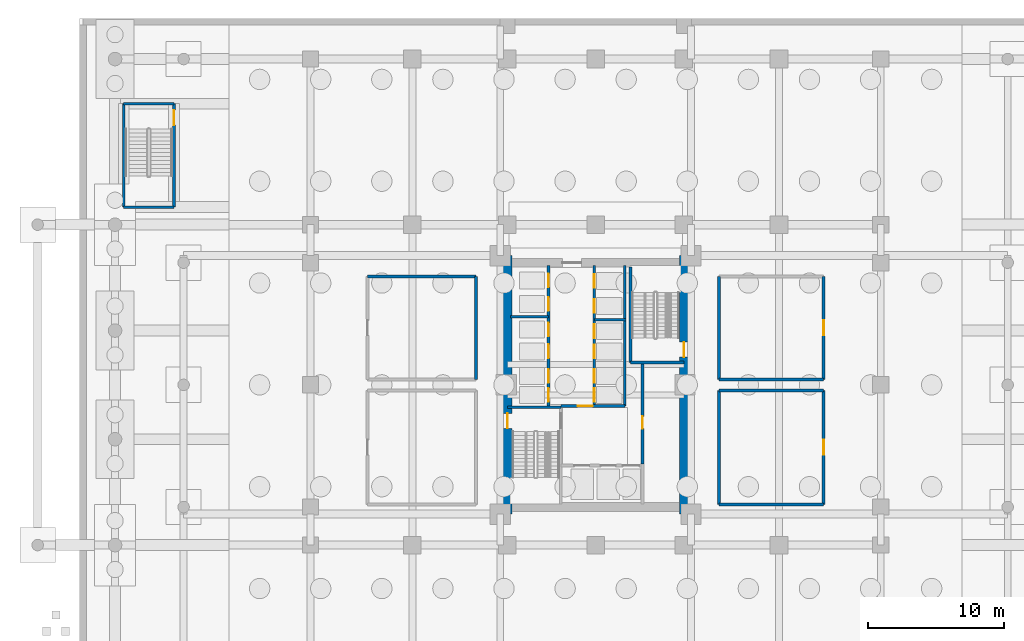
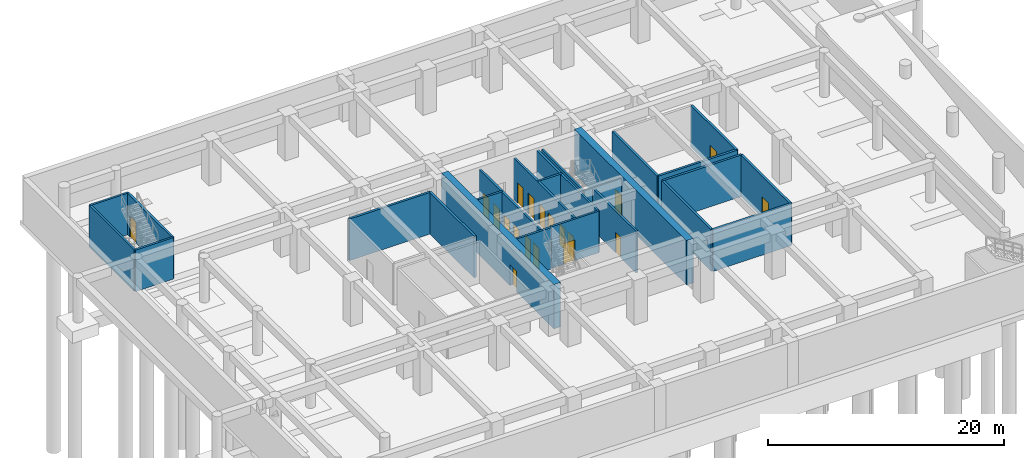
# One storey, part 4 of 14: 26 walls, 19 doors, 19 openings.
"""IFC4 building model written with IfcOpenShell, lengths in metres."""

from ifc_helpers import new_model, si_unit, direction, frame, frame_2d, origin, place, context, subcontext, project, spatial, rectangle, extrude, source, transform, mapped, material, layer, layer_set, type_object, element, fill, save


model = new_model("IFC4")

# Units and contexts
model_context = context("Model", 3, precision=1e-05, world=origin(), true_north=direction((0.0, 1.0)))
body_context = subcontext(model_context, "Body", "Model", "MODEL_VIEW")
ifc_project = project(units=[si_unit("LENGTHUNIT", "METRE"), si_unit("AREAUNIT", "SQUARE_METRE"), si_unit("VOLUMEUNIT", "CUBIC_METRE"), si_unit("PLANEANGLEUNIT", "RADIAN"), si_unit("MASSUNIT", "GRAM", prefix="KILO")], contexts=[model_context])

# Site, building, storey
site_placement = place(None, origin())
site = spatial("IfcSite", under=ifc_project, at=site_placement, CompositionType="ELEMENT")
building_placement = place(site_placement, origin())
building = spatial("IfcBuilding", under=site, at=building_placement, Name="Saelheon Loggia Tower", CompositionType="ELEMENT")
storey_placement = place(building_placement, frame((0.0, 0.0, -9.199951171875)))
storey = spatial("IfcBuildingStorey", under=building, at=storey_placement, Name="B2", CompositionType="ELEMENT", Elevation=-9.199951171875)

# Wall, opening, door
ifc_material_1 = material(Name="Concrete C60/75", Category="concrete")
ifc_layer_1 = layer(ifc_material_1, 0.64990234375)
ifc_layer_set_1 = layer_set([ifc_layer_1], Name="Concrete C60/75")
wall_type_1 = type_object("IfcWallType", Name="Wall_CoreShear_650", PredefinedType="SHEAR", material=ifc_layer_set_1)
wall_1_placement = place(storey_placement, frame((31.5, 17.47998046875, 0.0), z_axis=(0.0, 0.0, 1.0), x_axis=(0.0, 1.0, 0.0)))
wall_1 = element("IfcWall", 1, at=wall_1_placement, inside=storey, type_object=wall_type_1, Name="B2 Core Shear Wall West", PredefinedType="SHEAR", context=body_context, shape_type="SweptSolid", body=[
    extrude(rectangle(XDim=19.0400390625, YDim=0.64990234375, at=frame_2d((9.52001953125, 0.0))), origin(), (0.0, 0.0, 1.0), 4.599853515625),
])
opening_1_placement = place(wall_1_placement, frame((6.320068359375, 0.0, 0.0)))
opening_1 = element("IfcOpeningElement", 2, at=opening_1_placement, cuts=wall_1, Name="Opening D-FD2", PredefinedType="OPENING", context=body_context, shape_type="SweptSolid", body=[
    extrude(rectangle(XDim=1.10009765625, YDim=2.14990234375, at=frame_2d((0.550048828125, 1.074951171875))), frame((0.0, 0.3369140625, 0.0), z_axis=(0.0, -1.0, 0.0), x_axis=(1.0, 0.0, 0.0)), (0.0, 0.0, 1.0), 0.673828125),
])
ifc_material_2 = material(Name="Galvanised Steel Fire Door", Category="steel")
door_type_1 = type_object("IfcDoorType", Name="Door_Fire_FD60_1100", OperationType="NOTDEFINED", PredefinedType="DOOR", material=ifc_material_2)
shared_shape_1 = source(origin(), body_context, "Body", "SweptSolid", [
    extrude(rectangle(XDim=1.10009765625, YDim=2.14990234375, at=frame_2d((0.550048828125, 1.074951171875))), frame((0.0, 0.02490234375, 0.0), z_axis=(0.0, -1.0, 0.0), x_axis=(1.0, 0.0, 0.0)), (0.0, 0.0, 1.0), 0.050048828125),
])
door_1_placement = place(opening_1_placement, origin())
door_1 = element("IfcDoor", 3, at=door_1_placement, inside=storey, type_object=door_type_1, Name="B2 Stair ST1 Corridor Door", OperationType="SINGLE_SWING_LEFT", OverallHeight=2.14990234375, OverallWidth=1.10009765625, PredefinedType="DOOR", context=body_context, shape_type="MappedRepresentation", body=[
    mapped(shared_shape_1, transform((0.0, 0.0, 0.0), scale=1.0)),
])
fill(opening_1, door_1)

wall_2_placement = place(storey_placement, frame((44.5, 17.47998046875, 0.0), z_axis=(0.0, 0.0, 1.0), x_axis=(0.0, 1.0, 0.0)))
wall_2 = element("IfcWall", 4, at=wall_2_placement, inside=storey, type_object=wall_type_1, Name="B2 Core Shear Wall East", PredefinedType="SHEAR", context=body_context, shape_type="SweptSolid", body=[
    extrude(rectangle(XDim=19.0400390625, YDim=0.64990234375, at=frame_2d((9.52001953125, 0.0))), origin(), (0.0, 0.0, 1.0), 4.599853515625),
])
opening_2_placement = place(wall_2_placement, frame((12.670166015625, 0.0, 0.0), z_axis=(0.0, 0.0, 1.0), x_axis=(-1.0, 0.0, 0.0)))
opening_2 = element("IfcOpeningElement", 5, at=opening_2_placement, cuts=wall_2, Name="Opening D-FD2", PredefinedType="OPENING", context=body_context, shape_type="SweptSolid", body=[
    extrude(rectangle(XDim=1.10009765625, YDim=2.14990234375, at=frame_2d((0.550048828125, 1.074951171875))), frame((0.0, 0.3369140625, 0.0), z_axis=(0.0, -1.0, 0.0), x_axis=(1.0, 0.0, 0.0)), (0.0, 0.0, 1.0), 0.673828125),
])
door_2_placement = place(opening_2_placement, origin())
door_2 = element("IfcDoor", 6, at=door_2_placement, inside=storey, type_object=door_type_1, Name="B2 Stair ST2 Corridor Door", OperationType="SINGLE_SWING_RIGHT", OverallHeight=2.14990234375, OverallWidth=1.10009765625, PredefinedType="DOOR", context=body_context, shape_type="MappedRepresentation", body=[
    mapped(shared_shape_1, transform((0.0, 0.0, 0.0), scale=1.0)),
])
fill(opening_2, door_2)

# Walls
ifc_material_3 = material(Name="Concrete C40/50", Category="concrete")
ifc_layer_2 = layer(ifc_material_3, 0.219970703125)
ifc_layer_set_2 = layer_set([ifc_layer_2], Name="Concrete C40/50")
wall_type_2 = type_object("IfcWallType", Name="Wall_PlantBlock_220", PredefinedType="PARTITIONING", material=ifc_layer_set_2)
wall_3_placement = place(storey_placement, frame((21.199951171875, 35.0, 0.0), z_axis=(0.0, 0.0, 1.0), x_axis=(1.0, 0.0, 0.0)))
element("IfcWall", 7, at=wall_3_placement, inside=storey, type_object=wall_type_2, Name="B2 Fire Sprinkler and Domestic Water Tank Room North Wall", PredefinedType="PARTITIONING", context=body_context, shape_type="SweptSolid", body=[
    extrude(rectangle(XDim=8.0, YDim=0.219970703125, at=frame_2d((4.0, 0.0))), origin(), (0.0, 0.0, 1.0), 4.300048828125),
])
wall_4_placement = place(storey_placement, frame((29.199951171875, 27.39990234375, 0.0), z_axis=(0.0, 0.0, 1.0), x_axis=(0.0, 1.0, 0.0)))
element("IfcWall", 8, at=wall_4_placement, inside=storey, type_object=wall_type_2, Name="B2 Fire Sprinkler and Domestic Water Tank Room East Wall", PredefinedType="PARTITIONING", context=body_context, shape_type="SweptSolid", body=[
    extrude(rectangle(XDim=7.60009765625, YDim=0.219970703125, at=frame_2d((3.800048828125, 0.0))), origin(), (0.0, 0.0, 1.0), 4.300048828125),
])
for number, where, z_axis, x_axis, name in (
    (9, (47.10009765625, 18.199951171875, 0.0), (0.0, 0.0, 1.0), (1.0, 0.0, 0.0), "B2 Stormwater Detention and Greywater Plant South Wall"),
    (10, (47.10009765625, 26.60009765625, 0.0), (0.0, 0.0, 1.0), (1.0, 0.0, 0.0), "B2 Stormwater Detention and Greywater Plant North Wall"),
):
    element("IfcWall", number, at=place(storey_placement, frame(where, z_axis=z_axis, x_axis=x_axis)), inside=storey, type_object=wall_type_2, Name=name, PredefinedType="PARTITIONING", context=body_context, shape_type="SweptSolid", body=[
        extrude(rectangle(XDim=7.699951171875, YDim=0.219970703125, at=frame_2d((3.85009765625, 0.0))), origin(), (0.0, 0.0, 1.0), 4.300048828125),
    ])
wall_5_placement = place(storey_placement, frame((47.10009765625, 18.199951171875, 0.0), z_axis=(0.0, 0.0, 1.0), x_axis=(0.0, 1.0, 0.0)))
element("IfcWall", 11, at=wall_5_placement, inside=storey, type_object=wall_type_2, Name="B2 Stormwater Detention and Greywater Plant West Wall", PredefinedType="PARTITIONING", context=body_context, shape_type="SweptSolid", body=[
    extrude(rectangle(XDim=8.400146484375, YDim=0.219970703125, at=frame_2d((4.2001953125, 0.0))), origin(), (0.0, 0.0, 1.0), 4.300048828125),
])

# Wall, opening, door
wall_6_placement = place(storey_placement, frame((54.800048828125, 18.199951171875, 0.0), z_axis=(0.0, 0.0, 1.0), x_axis=(0.0, 1.0, 0.0)))
wall_6 = element("IfcWall", 12, at=wall_6_placement, inside=storey, type_object=wall_type_2, Name="B2 Stormwater Detention and Greywater Plant East Wall", PredefinedType="PARTITIONING", context=body_context, shape_type="SweptSolid", body=[
    extrude(rectangle(XDim=8.400146484375, YDim=0.219970703125, at=frame_2d((4.2001953125, 0.0))), origin(), (0.0, 0.0, 1.0), 4.300048828125),
])
opening_3_placement = place(wall_6_placement, frame((3.64990234375, 0.0, 0.0)))
opening_3 = element("IfcOpeningElement", 13, at=opening_3_placement, cuts=wall_6, Name="Opening D-FD2", PredefinedType="OPENING", context=body_context, shape_type="SweptSolid", body=[
    extrude(rectangle(XDim=1.10009765625, YDim=2.14990234375, at=frame_2d((0.550048828125, 1.074951171875))), frame((0.0, 0.1220703125, 0.0), z_axis=(0.0, -1.0, 0.0), x_axis=(1.0, 0.0, 0.0)), (0.0, 0.0, 1.0), 0.243896484375),
])
door_3_placement = place(opening_3_placement, origin())
door_3 = element("IfcDoor", 14, at=door_3_placement, inside=storey, type_object=door_type_1, Name="B2 Stormwater Detention and Greywater Plant Door", OperationType="SINGLE_SWING_RIGHT", OverallHeight=2.14990234375, OverallWidth=1.10009765625, PredefinedType="DOOR", context=body_context, shape_type="MappedRepresentation", body=[
    mapped(shared_shape_1, transform((0.0, 0.0, 0.0), scale=1.0)),
])
fill(opening_3, door_3)

# Walls
wall_7_placement = place(storey_placement, frame((47.10009765625, 27.39990234375, 0.0), z_axis=(0.0, 0.0, 1.0), x_axis=(1.0, 0.0, 0.0)))
element("IfcWall", 15, at=wall_7_placement, inside=storey, type_object=wall_type_2, Name="B2 Basement Smoke Extraction Fan Room South Wall", PredefinedType="PARTITIONING", context=body_context, shape_type="SweptSolid", body=[
    extrude(rectangle(XDim=7.699951171875, YDim=0.219970703125, at=frame_2d((3.85009765625, 0.0))), origin(), (0.0, 0.0, 1.0), 4.300048828125),
])
wall_8_placement = place(storey_placement, frame((47.10009765625, 27.39990234375, 0.0), z_axis=(0.0, 0.0, 1.0), x_axis=(0.0, 1.0, 0.0)))
element("IfcWall", 16, at=wall_8_placement, inside=storey, type_object=wall_type_2, Name="B2 Basement Smoke Extraction Fan Room West Wall", PredefinedType="PARTITIONING", context=body_context, shape_type="SweptSolid", body=[
    extrude(rectangle(XDim=7.60009765625, YDim=0.219970703125, at=frame_2d((3.800048828125, 0.0))), origin(), (0.0, 0.0, 1.0), 4.300048828125),
])

# Wall, opening, door
wall_9_placement = place(storey_placement, frame((54.800048828125, 27.39990234375, 0.0), z_axis=(0.0, 0.0, 1.0), x_axis=(0.0, 1.0, 0.0)))
wall_9 = element("IfcWall", 17, at=wall_9_placement, inside=storey, type_object=wall_type_2, Name="B2 Basement Smoke Extraction Fan Room East Wall", PredefinedType="PARTITIONING", context=body_context, shape_type="SweptSolid", body=[
    extrude(rectangle(XDim=7.60009765625, YDim=0.219970703125, at=frame_2d((3.800048828125, 0.0))), origin(), (0.0, 0.0, 1.0), 4.300048828125),
])
opening_4_placement = place(wall_9_placement, frame((3.25, 0.0, 0.0)))
opening_4 = element("IfcOpeningElement", 18, at=opening_4_placement, cuts=wall_9, Name="Opening D-FD2", PredefinedType="OPENING", context=body_context, shape_type="SweptSolid", body=[
    extrude(rectangle(XDim=1.10009765625, YDim=2.14990234375, at=frame_2d((0.550048828125, 1.074951171875))), frame((0.0, 0.1220703125, 0.0), z_axis=(0.0, -1.0, 0.0), x_axis=(1.0, 0.0, 0.0)), (0.0, 0.0, 1.0), 0.243896484375),
])
door_4_placement = place(opening_4_placement, origin())
door_4 = element("IfcDoor", 19, at=door_4_placement, inside=storey, type_object=door_type_1, Name="B2 Basement Smoke Extraction Fan Room Door", OperationType="SINGLE_SWING_LEFT", OverallHeight=2.14990234375, OverallWidth=1.10009765625, PredefinedType="DOOR", context=body_context, shape_type="MappedRepresentation", body=[
    mapped(shared_shape_1, transform((0.0, 0.0, 0.0), scale=1.0)),
])
fill(opening_4, door_4)

ifc_layer_3 = layer(ifc_material_3, 0.199951171875)
ifc_layer_set_3 = layer_set([ifc_layer_3], Name="Concrete C40/50")
wall_type_3 = type_object("IfcWallType", Name="Wall_Shaft_200", PredefinedType="PARTITIONING", material=ifc_layer_set_3)
wall_10_placement = place(storey_placement, frame((41.449951171875, 21.179931640625, 0.0), z_axis=(0.0, 0.0, 1.0), x_axis=(0.0, 1.0, 0.0)))
wall_10 = element("IfcWall", 20, at=wall_10_placement, inside=storey, type_object=wall_type_3, Name="CW-INT-B2-BOH-W1", PredefinedType="PARTITIONING", context=body_context, shape_type="SweptSolid", body=[
    extrude(rectangle(XDim=7.420166015625, YDim=0.199951171875, at=frame_2d((3.7099609375, 0.0))), origin(), (0.0, 0.0, 1.0), 4.300048828125),
])
opening_5_placement = place(wall_10_placement, frame((2.60009765625, 0.0, 0.0)))
opening_5 = element("IfcOpeningElement", 21, at=opening_5_placement, cuts=wall_10, Name="Opening D-RS1", PredefinedType="OPENING", context=body_context, shape_type="SweptSolid", body=[
    extrude(rectangle(XDim=0.89990234375, YDim=2.10009765625, at=frame_2d((0.449951171875, 1.050048828125))), frame((0.0, 0.112060546875, 0.0), z_axis=(0.0, -1.0, 0.0), x_axis=(1.0, 0.0, 0.0)), (0.0, 0.0, 1.0), 0.223876953125),
])
ifc_material_4 = material(Name="Galvanised Steel Riser Access Door", Category="steel")
door_type_2 = type_object("IfcDoorType", Name="Door_Riser_FD60", OperationType="NOTDEFINED", PredefinedType="DOOR", material=ifc_material_4)
shared_shape_2 = source(origin(), body_context, "Body", "SweptSolid", [
    extrude(rectangle(XDim=0.89990234375, YDim=2.10009765625, at=frame_2d((0.449951171875, 1.050048828125))), frame((0.0, 0.02490234375, 0.0), z_axis=(0.0, -1.0, 0.0), x_axis=(1.0, 0.0, 0.0)), (0.0, 0.0, 1.0), 0.050048828125),
])
door_5_placement = place(opening_5_placement, origin())
door_5 = element("IfcDoor", 22, at=door_5_placement, inside=storey, type_object=door_type_2, Name="B2 Core Service Store Door", OperationType="SINGLE_SWING_LEFT", OverallHeight=2.10009765625, OverallWidth=0.89990234375, PredefinedType="DOOR", context=body_context, shape_type="MappedRepresentation", body=[
    mapped(shared_shape_2, transform((0.0, 0.0, 0.0), scale=1.0)),
])
fill(opening_5, door_5)

# Walls
wall_11_placement = place(storey_placement, frame((40.14990234375, 25.43994140625, 0.0), z_axis=(0.0, 0.0, 1.0), x_axis=(0.0, 1.0, 0.0)))
element("IfcWall", 23, at=wall_11_placement, inside=storey, type_object=wall_type_3, Name="B2 Core Service Passage West Wall", PredefinedType="PARTITIONING", context=body_context, shape_type="SweptSolid", body=[
    extrude(rectangle(XDim=6.360107421875, YDim=0.199951171875, at=frame_2d((3.18017578125, 0.0))), origin(), (0.0, 0.0, 1.0), 4.300048828125),
])
wall_12_placement = place(storey_placement, frame((40.14990234375, 31.800048828125, 0.0), z_axis=(0.0, 0.0, 1.0), x_axis=(0.0, 1.0, 0.0)))
element("IfcWall", 24, at=wall_12_placement, inside=storey, type_object=wall_type_3, Name="B2 East High-Rise Hoistway East Wall", PredefinedType="PARTITIONING", context=body_context, shape_type="SweptSolid", body=[
    extrude(rectangle(XDim=3.97998046875, YDim=0.199951171875, at=frame_2d((1.989990234375, 0.0))), origin(), (0.0, 0.0, 1.0), 4.300048828125),
])

# Wall, opening, door
wall_13_placement = place(storey_placement, frame((35.429931640625, 25.43994140625, 0.0), z_axis=(0.0, 0.0, 1.0), x_axis=(1.0, 0.0, 0.0)))
wall_13 = element("IfcWall", 25, at=wall_13_placement, inside=storey, type_object=wall_type_3, Name="B2 Firefighting Lobby Compartment Wall", PredefinedType="PARTITIONING", context=body_context, shape_type="SweptSolid", body=[
    extrude(rectangle(XDim=4.719970703125, YDim=0.199951171875, at=frame_2d((2.35986328125, 0.0))), origin(), (0.0, 0.0, 1.0), 4.300048828125),
])
opening_6_placement = place(wall_13_placement, frame((1.25, 0.0, 0.0)))
opening_6 = element("IfcOpeningElement", 26, at=opening_6_placement, cuts=wall_13, Name="Opening D-FD2", PredefinedType="OPENING", context=body_context, shape_type="SweptSolid", body=[
    extrude(rectangle(XDim=1.10009765625, YDim=2.14990234375, at=frame_2d((0.550048828125, 1.074951171875))), frame((0.0, 0.112060546875, 0.0), z_axis=(0.0, -1.0, 0.0), x_axis=(1.0, 0.0, 0.0)), (0.0, 0.0, 1.0), 0.223876953125),
])
door_6_placement = place(opening_6_placement, origin())
door_6 = element("IfcDoor", 27, at=door_6_placement, inside=storey, type_object=door_type_1, Name="B2 Firefighting Lobby Door", OperationType="SINGLE_SWING_RIGHT", OverallHeight=2.14990234375, OverallWidth=1.10009765625, PredefinedType="DOOR", context=body_context, shape_type="MappedRepresentation", body=[
    mapped(shared_shape_1, transform((0.0, 0.0, 0.0), scale=1.0)),
])
fill(opening_6, door_6)

# Wall, openings, doors
wall_14_placement = place(storey_placement, frame((34.52001953125, 25.43994140625, 0.0), z_axis=(0.0, 0.0, 1.0), x_axis=(0.0, 1.0, 0.0)))
wall_14 = element("IfcWall", 28, at=wall_14_placement, inside=storey, type_object=wall_type_3, Name="B2 West Passenger Lift Bank Wall", PredefinedType="PARTITIONING", context=body_context, shape_type="SweptSolid", body=[
    extrude(rectangle(XDim=10.340087890625, YDim=0.199951171875, at=frame_2d((5.169921875, 0.0))), origin(), (0.0, 0.0, 1.0), 4.300048828125),
])
opening_7_placement = place(wall_14_placement, frame((0.320068359375, 0.0, 0.0)))
opening_7 = element("IfcOpeningElement", 29, at=opening_7_placement, cuts=wall_14, Name="Opening LD1", PredefinedType="OPENING", context=body_context, shape_type="SweptSolid", body=[
    extrude(rectangle(XDim=1.0, YDim=2.14990234375, at=frame_2d((0.5, 1.074951171875))), frame((0.0, 0.112060546875, 0.0), z_axis=(0.0, -1.0, 0.0), x_axis=(1.0, 0.0, 0.0)), (0.0, 0.0, 1.0), 0.223876953125),
])
opening_8_placement = place(wall_14_placement, frame((1.7099609375, 0.0, 0.0)))
opening_8 = element("IfcOpeningElement", 30, at=opening_8_placement, cuts=wall_14, Name="Opening LD1", PredefinedType="OPENING", context=body_context, shape_type="SweptSolid", body=[
    extrude(rectangle(XDim=1.0, YDim=2.14990234375, at=frame_2d((0.5, 1.074951171875))), frame((0.0, 0.112060546875, 0.0), z_axis=(0.0, -1.0, 0.0), x_axis=(1.0, 0.0, 0.0)), (0.0, 0.0, 1.0), 0.223876953125),
])
opening_9_placement = place(wall_14_placement, frame((3.534912109375, 0.0, 0.0)))
opening_9 = element("IfcOpeningElement", 31, at=opening_9_placement, cuts=wall_14, Name="Opening LD1", PredefinedType="OPENING", context=body_context, shape_type="SweptSolid", body=[
    extrude(rectangle(XDim=1.0, YDim=2.14990234375, at=frame_2d((0.5, 1.074951171875))), frame((0.0, 0.112060546875, 0.0), z_axis=(0.0, -1.0, 0.0), x_axis=(1.0, 0.0, 0.0)), (0.0, 0.0, 1.0), 0.223876953125),
])
opening_10_placement = place(wall_14_placement, frame((5.135009765625, 0.0, 0.0)))
opening_10 = element("IfcOpeningElement", 32, at=opening_10_placement, cuts=wall_14, Name="Opening LD1", PredefinedType="OPENING", context=body_context, shape_type="SweptSolid", body=[
    extrude(rectangle(XDim=1.0, YDim=2.14990234375, at=frame_2d((0.5, 1.074951171875))), frame((0.0, 0.112060546875, 0.0), z_axis=(0.0, -1.0, 0.0), x_axis=(1.0, 0.0, 0.0)), (0.0, 0.0, 1.0), 0.223876953125),
])
opening_11_placement = place(wall_14_placement, frame((7.010009765625, 0.0, 0.0)))
opening_11 = element("IfcOpeningElement", 33, at=opening_11_placement, cuts=wall_14, Name="Opening LD1", PredefinedType="OPENING", context=body_context, shape_type="SweptSolid", body=[
    extrude(rectangle(XDim=1.0, YDim=2.14990234375, at=frame_2d((0.5, 1.074951171875))), frame((0.0, 0.112060546875, 0.0), z_axis=(0.0, -1.0, 0.0), x_axis=(1.0, 0.0, 0.0)), (0.0, 0.0, 1.0), 0.223876953125),
])
opening_12_placement = place(wall_14_placement, frame((8.760009765625, 0.0, 0.0)))
opening_12 = element("IfcOpeningElement", 34, at=opening_12_placement, cuts=wall_14, Name="Opening LD1", PredefinedType="OPENING", context=body_context, shape_type="SweptSolid", body=[
    extrude(rectangle(XDim=1.0, YDim=2.14990234375, at=frame_2d((0.5, 1.074951171875))), frame((0.0, 0.112060546875, 0.0), z_axis=(0.0, -1.0, 0.0), x_axis=(1.0, 0.0, 0.0)), (0.0, 0.0, 1.0), 0.223876953125),
])
ifc_material_5 = material(Name="Brushed Stainless Steel 304 Landing Door", Category="steel")
door_type_3 = type_object("IfcDoorType", Name="Door_Lift_LD1", OperationType="DOUBLE_DOOR_SLIDING", PredefinedType="DOOR", material=ifc_material_5)
shared_shape_3 = source(origin(), body_context, "Body", "SweptSolid", [
    extrude(rectangle(XDim=1.0, YDim=2.14990234375, at=frame_2d((0.5, 1.074951171875))), frame((0.0, 0.02490234375, 0.0), z_axis=(0.0, -1.0, 0.0), x_axis=(1.0, 0.0, 0.0)), (0.0, 0.0, 1.0), 0.050048828125),
])
door_7_placement = place(opening_7_placement, origin())
door_7 = element("IfcDoor", 35, at=door_7_placement, inside=storey, type_object=door_type_3, Name="B2 PL1 Landing Door", OperationType="DOUBLE_DOOR_SLIDING", OverallHeight=2.14990234375, OverallWidth=1.0, PredefinedType="DOOR", context=body_context, shape_type="MappedRepresentation", body=[
    mapped(shared_shape_3, transform((0.0, 0.0, 0.0), scale=1.0)),
])
fill(opening_7, door_7)
door_8_placement = place(opening_8_placement, origin())
door_8 = element("IfcDoor", 36, at=door_8_placement, inside=storey, type_object=door_type_3, Name="B2 PL2 Landing Door", OperationType="DOUBLE_DOOR_SLIDING", OverallHeight=2.14990234375, OverallWidth=1.0, PredefinedType="DOOR", context=body_context, shape_type="MappedRepresentation", body=[
    mapped(shared_shape_3, transform((0.0, 0.0, 0.0), scale=1.0)),
])
fill(opening_8, door_8)
door_9_placement = place(opening_9_placement, origin())
door_9 = element("IfcDoor", 37, at=door_9_placement, inside=storey, type_object=door_type_3, Name="B2 PL3 Landing Door", OperationType="DOUBLE_DOOR_SLIDING", OverallHeight=2.14990234375, OverallWidth=1.0, PredefinedType="DOOR", context=body_context, shape_type="MappedRepresentation", body=[
    mapped(shared_shape_3, transform((0.0, 0.0, 0.0), scale=1.0)),
])
fill(opening_9, door_9)
door_10_placement = place(opening_10_placement, origin())
door_10 = element("IfcDoor", 38, at=door_10_placement, inside=storey, type_object=door_type_3, Name="B2 PL4 Landing Door", OperationType="DOUBLE_DOOR_SLIDING", OverallHeight=2.14990234375, OverallWidth=1.0, PredefinedType="DOOR", context=body_context, shape_type="MappedRepresentation", body=[
    mapped(shared_shape_3, transform((0.0, 0.0, 0.0), scale=1.0)),
])
fill(opening_10, door_10)
door_11_placement = place(opening_11_placement, origin())
door_11 = element("IfcDoor", 39, at=door_11_placement, inside=storey, type_object=door_type_3, Name="B2 PH1 Landing Door", OperationType="DOUBLE_DOOR_SLIDING", OverallHeight=2.14990234375, OverallWidth=1.0, PredefinedType="DOOR", context=body_context, shape_type="MappedRepresentation", body=[
    mapped(shared_shape_3, transform((0.0, 0.0, 0.0), scale=1.0)),
])
fill(opening_11, door_11)
door_12_placement = place(opening_12_placement, origin())
door_12 = element("IfcDoor", 40, at=door_12_placement, inside=storey, type_object=door_type_3, Name="B2 PH2 Landing Door", OperationType="DOUBLE_DOOR_SLIDING", OverallHeight=2.14990234375, OverallWidth=1.0, PredefinedType="DOOR", context=body_context, shape_type="MappedRepresentation", body=[
    mapped(shared_shape_3, transform((0.0, 0.0, 0.0), scale=1.0)),
])
fill(opening_12, door_12)

# Wall
wall_15_placement = place(storey_placement, frame((31.719970703125, 32.02001953125, 0.0), z_axis=(0.0, 0.0, 1.0), x_axis=(1.0, 0.0, 0.0)))
element("IfcWall", 41, at=wall_15_placement, inside=storey, type_object=wall_type_3, Name="B2 West High-Rise Shaft Divider", PredefinedType="PARTITIONING", context=body_context, shape_type="SweptSolid", body=[
    extrude(rectangle(XDim=2.800048828125, YDim=0.199951171875, at=frame_2d((1.39990234375, 0.0))), origin(), (0.0, 0.0, 1.0), 4.300048828125),
])

# Wall, openings, doors
wall_16_placement = place(storey_placement, frame((37.89990234375, 25.43994140625, 0.0), z_axis=(0.0, 0.0, 1.0), x_axis=(0.0, 1.0, 0.0)))
wall_16 = element("IfcWall", 42, at=wall_16_placement, inside=storey, type_object=wall_type_3, Name="B2 East Passenger Lift Bank Wall", PredefinedType="PARTITIONING", context=body_context, shape_type="SweptSolid", body=[
    extrude(rectangle(XDim=10.340087890625, YDim=0.199951171875, at=frame_2d((5.169921875, 0.0))), origin(), (0.0, 0.0, 1.0), 4.300048828125),
])
opening_13_placement = place(wall_16_placement, frame((0.320068359375, 0.0, 0.0)))
opening_13 = element("IfcOpeningElement", 43, at=opening_13_placement, cuts=wall_16, Name="Opening LD1", PredefinedType="OPENING", context=body_context, shape_type="SweptSolid", body=[
    extrude(rectangle(XDim=1.0, YDim=2.14990234375, at=frame_2d((0.5, 1.074951171875))), frame((0.0, 0.112060546875, 0.0), z_axis=(0.0, -1.0, 0.0), x_axis=(1.0, 0.0, 0.0)), (0.0, 0.0, 1.0), 0.223876953125),
])
opening_14_placement = place(wall_16_placement, frame((1.7099609375, 0.0, 0.0)))
opening_14 = element("IfcOpeningElement", 44, at=opening_14_placement, cuts=wall_16, Name="Opening LD1", PredefinedType="OPENING", context=body_context, shape_type="SweptSolid", body=[
    extrude(rectangle(XDim=1.0, YDim=2.14990234375, at=frame_2d((0.5, 1.074951171875))), frame((0.0, 0.112060546875, 0.0), z_axis=(0.0, -1.0, 0.0), x_axis=(1.0, 0.0, 0.0)), (0.0, 0.0, 1.0), 0.223876953125),
])
opening_15_placement = place(wall_16_placement, frame((3.510009765625, 0.0, 0.0)))
opening_15 = element("IfcOpeningElement", 45, at=opening_15_placement, cuts=wall_16, Name="Opening LD1", PredefinedType="OPENING", context=body_context, shape_type="SweptSolid", body=[
    extrude(rectangle(XDim=1.0, YDim=2.14990234375, at=frame_2d((0.5, 1.074951171875))), frame((0.0, 0.112060546875, 0.0), z_axis=(0.0, -1.0, 0.0), x_axis=(1.0, 0.0, 0.0)), (0.0, 0.0, 1.0), 0.223876953125),
])
opening_16_placement = place(wall_16_placement, frame((5.010009765625, 0.0, 0.0)))
opening_16 = element("IfcOpeningElement", 46, at=opening_16_placement, cuts=wall_16, Name="Opening LD1", PredefinedType="OPENING", context=body_context, shape_type="SweptSolid", body=[
    extrude(rectangle(XDim=1.0, YDim=2.14990234375, at=frame_2d((0.5, 1.074951171875))), frame((0.0, 0.112060546875, 0.0), z_axis=(0.0, -1.0, 0.0), x_axis=(1.0, 0.0, 0.0)), (0.0, 0.0, 1.0), 0.223876953125),
])
opening_17_placement = place(wall_16_placement, frame((6.860107421875, 0.0, 0.0)))
opening_17 = element("IfcOpeningElement", 47, at=opening_17_placement, cuts=wall_16, Name="Opening LD1", PredefinedType="OPENING", context=body_context, shape_type="SweptSolid", body=[
    extrude(rectangle(XDim=1.0, YDim=2.14990234375, at=frame_2d((0.5, 1.074951171875))), frame((0.0, 0.112060546875, 0.0), z_axis=(0.0, -1.0, 0.0), x_axis=(1.0, 0.0, 0.0)), (0.0, 0.0, 1.0), 0.223876953125),
])
opening_18_placement = place(wall_16_placement, frame((8.7099609375, 0.0, 0.0)))
opening_18 = element("IfcOpeningElement", 48, at=opening_18_placement, cuts=wall_16, Name="Opening LD1", PredefinedType="OPENING", context=body_context, shape_type="SweptSolid", body=[
    extrude(rectangle(XDim=1.0, YDim=2.14990234375, at=frame_2d((0.5, 1.074951171875))), frame((0.0, 0.112060546875, 0.0), z_axis=(0.0, -1.0, 0.0), x_axis=(1.0, 0.0, 0.0)), (0.0, 0.0, 1.0), 0.223876953125),
])
door_13_placement = place(opening_13_placement, origin())
door_13 = element("IfcDoor", 49, at=door_13_placement, inside=storey, type_object=door_type_3, Name="B2 PM1 Landing Door", OperationType="DOUBLE_DOOR_SLIDING", OverallHeight=2.14990234375, OverallWidth=1.0, PredefinedType="DOOR", context=body_context, shape_type="MappedRepresentation", body=[
    mapped(shared_shape_3, transform((0.0, 0.0, 0.0), scale=1.0)),
])
fill(opening_13, door_13)
door_14_placement = place(opening_14_placement, origin())
door_14 = element("IfcDoor", 50, at=door_14_placement, inside=storey, type_object=door_type_3, Name="B2 PM2 Landing Door", OperationType="DOUBLE_DOOR_SLIDING", OverallHeight=2.14990234375, OverallWidth=1.0, PredefinedType="DOOR", context=body_context, shape_type="MappedRepresentation", body=[
    mapped(shared_shape_3, transform((0.0, 0.0, 0.0), scale=1.0)),
])
fill(opening_14, door_14)
door_15_placement = place(opening_15_placement, origin())
door_15 = element("IfcDoor", 51, at=door_15_placement, inside=storey, type_object=door_type_3, Name="B2 PM3 Landing Door", OperationType="DOUBLE_DOOR_SLIDING", OverallHeight=2.14990234375, OverallWidth=1.0, PredefinedType="DOOR", context=body_context, shape_type="MappedRepresentation", body=[
    mapped(shared_shape_3, transform((0.0, 0.0, 0.0), scale=1.0)),
])
fill(opening_15, door_15)
door_16_placement = place(opening_16_placement, origin())
door_16 = element("IfcDoor", 52, at=door_16_placement, inside=storey, type_object=door_type_3, Name="B2 PM4 Landing Door", OperationType="DOUBLE_DOOR_SLIDING", OverallHeight=2.14990234375, OverallWidth=1.0, PredefinedType="DOOR", context=body_context, shape_type="MappedRepresentation", body=[
    mapped(shared_shape_3, transform((0.0, 0.0, 0.0), scale=1.0)),
])
fill(opening_16, door_16)
door_17_placement = place(opening_17_placement, origin())
door_17 = element("IfcDoor", 53, at=door_17_placement, inside=storey, type_object=door_type_3, Name="B2 PH3 Landing Door", OperationType="DOUBLE_DOOR_SLIDING", OverallHeight=2.14990234375, OverallWidth=1.0, PredefinedType="DOOR", context=body_context, shape_type="MappedRepresentation", body=[
    mapped(shared_shape_3, transform((0.0, 0.0, 0.0), scale=1.0)),
])
fill(opening_17, door_17)
door_18_placement = place(opening_18_placement, origin())
door_18 = element("IfcDoor", 54, at=door_18_placement, inside=storey, type_object=door_type_3, Name="B2 PH4 Landing Door", OperationType="DOUBLE_DOOR_SLIDING", OverallHeight=2.14990234375, OverallWidth=1.0, PredefinedType="DOOR", context=body_context, shape_type="MappedRepresentation", body=[
    mapped(shared_shape_3, transform((0.0, 0.0, 0.0), scale=1.0)),
])
fill(opening_18, door_18)

# Walls
wall_17_placement = place(storey_placement, frame((37.89990234375, 31.800048828125, 0.0), z_axis=(0.0, 0.0, 1.0), x_axis=(1.0, 0.0, 0.0)))
element("IfcWall", 55, at=wall_17_placement, inside=storey, type_object=wall_type_3, Name="B2 East High-Rise Shaft Divider", PredefinedType="PARTITIONING", context=body_context, shape_type="SweptSolid", body=[
    extrude(rectangle(XDim=2.35009765625, YDim=0.199951171875, at=frame_2d((1.175048828125, 0.0))), origin(), (0.0, 0.0, 1.0), 4.300048828125),
])
ifc_material_6 = material(Name="Concrete C45/55", Category="concrete")
ifc_layer_4 = layer(ifc_material_6, 0.199951171875)
ifc_layer_set_4 = layer_set([ifc_layer_4], Name="Concrete C45/55")
wall_type_4 = type_object("IfcWallType", Name="Wall_StairShaft_RC200", PredefinedType="SOLIDWALL", material=ifc_layer_set_4)
wall_18_placement = place(storey_placement, frame((31.5, 25.35009765625, 0.0), z_axis=(0.0, 0.0, 1.0), x_axis=(1.0, 0.0, 0.0)))
element("IfcWall", 56, at=wall_18_placement, inside=storey, type_object=wall_type_4, Name="B2 Stair ST1 North Wall", PredefinedType="SOLIDWALL", context=body_context, shape_type="SweptSolid", body=[
    extrude(rectangle(XDim=3.929931640625, YDim=0.199951171875, at=frame_2d((1.96484375, 0.0))), origin(), (0.0, 0.0, 1.0), 4.300048828125),
])
wall_19_placement = place(storey_placement, frame((40.570068359375, 28.64990234375, 0.0), z_axis=(0.0, 0.0, 1.0), x_axis=(0.0, 1.0, 0.0)))
element("IfcWall", 57, at=wall_19_placement, inside=storey, type_object=wall_type_4, Name="B2 Stair ST2 Shaft Wall", PredefinedType="SOLIDWALL", context=body_context, shape_type="SweptSolid", body=[
    extrude(rectangle(XDim=7.050048828125, YDim=0.199951171875, at=frame_2d((3.52490234375, 0.0))), origin(), (0.0, 0.0, 1.0), 4.300048828125),
])
wall_20_placement = place(storey_placement, frame((40.570068359375, 28.64990234375, 0.0), z_axis=(0.0, 0.0, 1.0), x_axis=(1.0, 0.0, 0.0)))
element("IfcWall", 58, at=wall_20_placement, inside=storey, type_object=wall_type_4, Name="B2 Stair ST2 South Wall", PredefinedType="SOLIDWALL", context=body_context, shape_type="SweptSolid", body=[
    extrude(rectangle(XDim=3.929931640625, YDim=0.199951171875, at=frame_2d((1.96484375, 0.0))), origin(), (0.0, 0.0, 1.0), 4.300048828125),
])
wall_21_placement = place(storey_placement, frame((3.239990234375, 40.090087890625, 0.0), z_axis=(0.0, 0.0, 1.0), x_axis=(0.0, 1.0, 0.0)))
element("IfcWall", 59, at=wall_21_placement, inside=storey, type_object=wall_type_4, Name="B2 ST3 Shaft West Wall", PredefinedType="SOLIDWALL", context=body_context, shape_type="SweptSolid", body=[
    extrude(rectangle(XDim=7.619873046875, YDim=0.199951171875, at=frame_2d((3.81005859375, 0.0))), origin(), (0.0, 0.0, 1.0), 4.300048828125),
])

# Wall, opening, door
wall_22_placement = place(storey_placement, frame((6.93994140625, 40.090087890625, 0.0), z_axis=(0.0, 0.0, 1.0), x_axis=(0.0, 1.0, 0.0)))
wall_22 = element("IfcWall", 60, at=wall_22_placement, inside=storey, type_object=wall_type_4, Name="B2 ST3 Shaft East Wall", PredefinedType="SOLIDWALL", context=body_context, shape_type="SweptSolid", body=[
    extrude(rectangle(XDim=7.619873046875, YDim=0.199951171875, at=frame_2d((3.81005859375, 0.0))), origin(), (0.0, 0.0, 1.0), 4.300048828125),
])
opening_19_placement = place(wall_22_placement, frame((7.150146484375, 0.0, 0.0), z_axis=(0.0, 0.0, 1.0), x_axis=(-1.0, 0.0, 0.0)))
opening_19 = element("IfcOpeningElement", 61, at=opening_19_placement, cuts=wall_22, Name="Opening D-FD2", PredefinedType="OPENING", context=body_context, shape_type="SweptSolid", body=[
    extrude(rectangle(XDim=1.10009765625, YDim=2.14990234375, at=frame_2d((0.550048828125, 1.074951171875))), frame((0.0, 0.112060546875, 0.0), z_axis=(0.0, -1.0, 0.0), x_axis=(1.0, 0.0, 0.0)), (0.0, 0.0, 1.0), 0.223876953125),
])
door_19_placement = place(opening_19_placement, origin())
door_19 = element("IfcDoor", 62, at=door_19_placement, inside=storey, type_object=door_type_1, Name="B2 Escape Stair ST3 Door", OperationType="SINGLE_SWING_RIGHT", OverallHeight=2.14990234375, OverallWidth=1.10009765625, PredefinedType="DOOR", context=body_context, shape_type="MappedRepresentation", body=[
    mapped(shared_shape_1, transform((0.0, 0.0, 0.0), scale=1.0)),
])
fill(opening_19, door_19)

# Walls
for number, where, z_axis, x_axis, name in (
    (63, (3.239990234375, 40.090087890625, 0.0), (0.0, 0.0, 1.0), (1.0, 0.0, 0.0), "B2 ST3 Shaft South Wall"),
    (64, (3.239990234375, 47.7099609375, 0.0), (0.0, 0.0, 1.0), (1.0, 0.0, 0.0), "B2 ST3 Shaft North Wall"),
):
    element("IfcWall", number, at=place(storey_placement, frame(where, z_axis=z_axis, x_axis=x_axis)), inside=storey, type_object=wall_type_4, Name=name, PredefinedType="SOLIDWALL", context=body_context, shape_type="SweptSolid", body=[
        extrude(rectangle(XDim=3.699951171875, YDim=0.199951171875, at=frame_2d((1.85009765625, 0.0))), origin(), (0.0, 0.0, 1.0), 4.300048828125),
    ])

save(model, "model.ifc")
